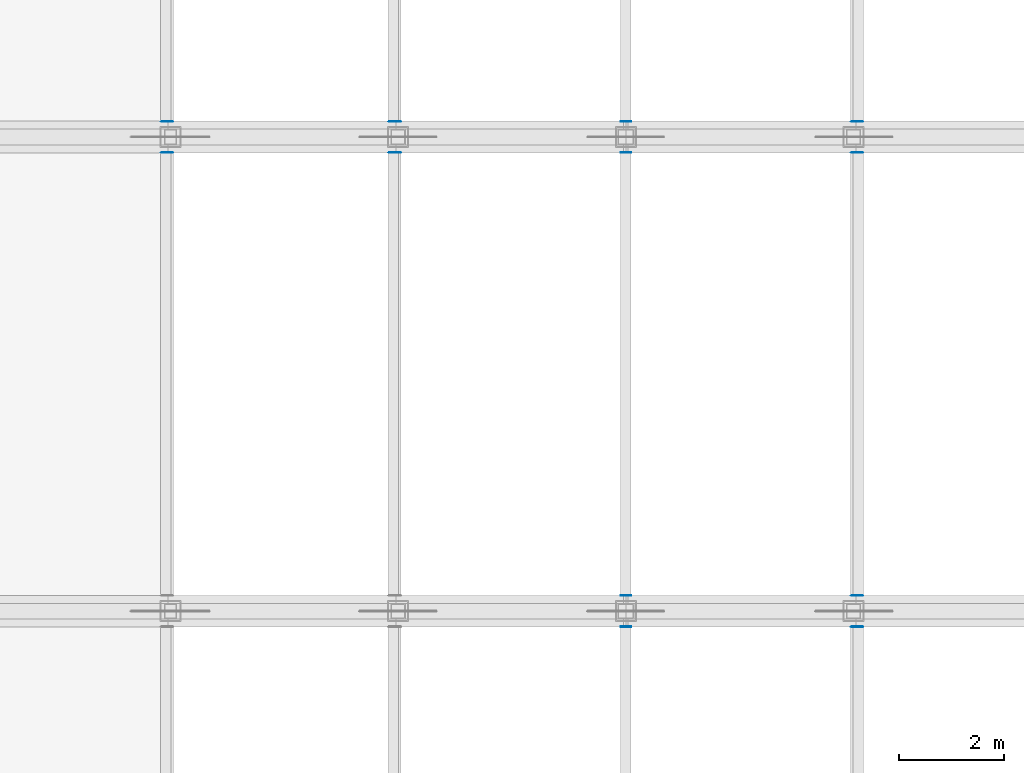
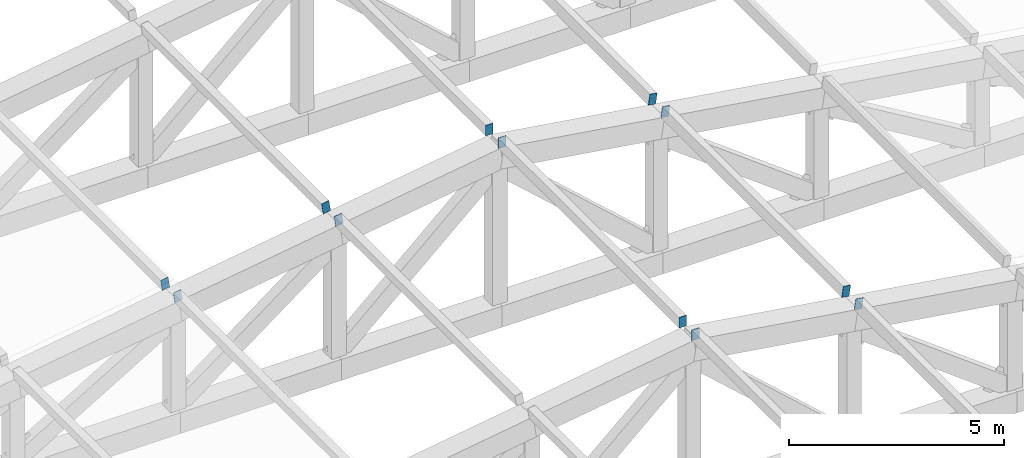
# One storey, part 23 of 32: 12 discrete accessories.
"""IFC4 building model written with IfcOpenShell, lengths in metres."""

from ifc_helpers import new_model, si_unit, direction, frame, origin, place, context, subcontext, project, spatial, polyline, outline, extrude, material, layer, layer_set, type_object, element, save


model = new_model("IFC4")

# Units and contexts
model_context = context("Model", 3, precision=1e-05, world=origin(), true_north=direction((0.0, 1.0)))
body_context = subcontext(model_context, "Body", "Model", "MODEL_VIEW")
ifc_project = project(units=[si_unit("LENGTHUNIT", "METRE"), si_unit("AREAUNIT", "SQUARE_METRE"), si_unit("VOLUMEUNIT", "CUBIC_METRE"), si_unit("PLANEANGLEUNIT", "RADIAN"), si_unit("MASSUNIT", "GRAM", prefix="KILO")], contexts=[model_context])

# Site, building, storey
site_placement = place(None, origin())
site = spatial("IfcSite", under=ifc_project, at=site_placement, CompositionType="ELEMENT")
building_placement = place(site_placement, origin())
building = spatial("IfcBuilding", under=site, at=building_placement, Name="Aravalli Gate Trade Fair Centre", CompositionType="ELEMENT")
storey_placement = place(building_placement, frame((0.0, 0.0, 23.39990234375)))
storey = spatial("IfcBuildingStorey", under=building, at=storey_placement, Name="ROOF LEVEL 1", CompositionType="ELEMENT", Elevation=23.39990234375)

# Discrete accessories
ifc_material = material(Name="Steel E350", Category="steel")
ifc_layer = layer(ifc_material, 0.010009765625)
ifc_layer_set = layer_set([ifc_layer], Name="Steel E350")
discrete_accessory_type = type_object("IfcDiscreteAccessoryType", Name="End plate 200x300 x 10", PredefinedType="USERDEFINED", material=ifc_layer_set)
for number, where, z_axis, x_axis, name in (
    (1, (119.8134765625, 90.7099609375, 3.791748046875), (0.0, 1.0, 0.0), (-0.988484290215, 0.0, -0.151323520971), "End plate Roof purlin line 4 bay 3 end B"),
    (2, (119.8134765625, 91.300048828125, 3.791748046875), (0.0, 1.0, 0.0), (-0.988484290215, 0.0, -0.151323520971), "End plate Roof purlin line 4 bay 4 end A"),
):
    element("IfcDiscreteAccessory", number, at=place(storey_placement, frame(where, z_axis=z_axis, x_axis=x_axis)), inside=storey, type_object=discrete_accessory_type, Name=name, ObjectType="END CAP", PredefinedType="USERDEFINED", context=body_context, shape_type="SweptSolid", body=[
        extrude(outline(polyline([(0.0, 0.0), (0.2000577128110791, 0.0), (0.19981638363866344, 0.30004962499763155), (-0.0002413291724156566, 0.30004962499763155), (0.0, 0.0)])), origin(), (0.0, 0.0, -1.0), 0.010009765625),
    ])
for number, where, z_axis, x_axis, name in (
    (3, (124.133544921875, 90.7099609375, 4.45166015625), (0.0, 1.0, 0.0), (-0.988484290215, 0.0, -0.151323520971), "End plate Roof purlin line 5 bay 3 end B"),
    (4, (124.133544921875, 91.300048828125, 4.45166015625), (0.0, 1.0, 0.0), (-0.988484290215, 0.0, -0.151323520971), "End plate Roof purlin line 5 bay 4 end A"),
):
    element("IfcDiscreteAccessory", number, at=place(storey_placement, frame(where, z_axis=z_axis, x_axis=x_axis)), inside=storey, type_object=discrete_accessory_type, Name=name, ObjectType="END CAP", PredefinedType="USERDEFINED", context=body_context, shape_type="SweptSolid", body=[
        extrude(outline(polyline([(0.0, 0.0), (0.2000577128110791, 0.0), (0.2000577128110791, 0.30008656921661864), (0.0, 0.30008656921661864), (0.0, 0.0)])), origin(), (0.0, 0.0, -1.0), 0.010009765625),
    ])
for number, where, z_axis, x_axis, name in (
    (5, (128.5, 81.7099609375, 5.106201171875), (0.0, 1.0, 0.0), (-1.0, 0.0, 0.0), "End plate Roof purlin line 6 bay 2 end B"),
    (6, (128.5, 82.300048828125, 5.106201171875), (0.0, 1.0, 0.0), (-1.0, 0.0, 0.0), "End plate Roof purlin line 6 bay 3 end A"),
    (7, (128.5, 90.7099609375, 5.106201171875), (0.0, 1.0, 0.0), (-1.0, 0.0, 0.0), "End plate Roof purlin line 6 bay 3 end B"),
    (8, (128.5, 91.300048828125, 5.106201171875), (0.0, 1.0, 0.0), (-1.0, 0.0, 0.0), "End plate Roof purlin line 6 bay 4 end A"),
):
    element("IfcDiscreteAccessory", number, at=place(storey_placement, frame(where, z_axis=z_axis, x_axis=x_axis)), inside=storey, type_object=discrete_accessory_type, Name=name, ObjectType="END CAP", PredefinedType="USERDEFINED", context=body_context, shape_type="SweptSolid", body=[
        extrude(outline(polyline([(0.0, 0.0), (0.199951171875, 0.0), (0.199951171875, 0.300048828125), (0.0, 0.300048828125), (0.0, 0.0)])), origin(), (0.0, 0.0, -1.0), 0.010009765625),
    ])
for number, where, z_axis, x_axis, name in (
    (9, (132.8642578125, 81.7099609375, 4.42138671875), (0.0, 1.0, 0.0), (-0.988484290215, 0.0, 0.151323520971), "End plate Roof purlin line 7 bay 2 end B"),
    (10, (132.8642578125, 82.300048828125, 4.42138671875), (0.0, 1.0, 0.0), (-0.988484290215, 0.0, 0.151323520971), "End plate Roof purlin line 7 bay 3 end A"),
    (11, (132.8642578125, 90.7099609375, 4.42138671875), (0.0, 1.0, 0.0), (-0.988484290215, 0.0, 0.151323520971), "End plate Roof purlin line 7 bay 3 end B"),
    (12, (132.8642578125, 91.300048828125, 4.42138671875), (0.0, 1.0, 0.0), (-0.988484290215, 0.0, 0.151323520971), "End plate Roof purlin line 7 bay 4 end A"),
):
    element("IfcDiscreteAccessory", number, at=place(storey_placement, frame(where, z_axis=z_axis, x_axis=x_axis)), inside=storey, type_object=discrete_accessory_type, Name=name, ObjectType="END CAP", PredefinedType="USERDEFINED", context=body_context, shape_type="SweptSolid", body=[
        extrude(outline(polyline([(0.0, 0.0), (0.2000577128110791, 0.0), (0.2000577128110791, 0.30008656921661864), (0.0002413291724156566, 0.30004962499763155), (0.0, 0.0)])), origin(), (0.0, 0.0, -1.0), 0.010009765625),
    ])

save(model, "model.ifc")
